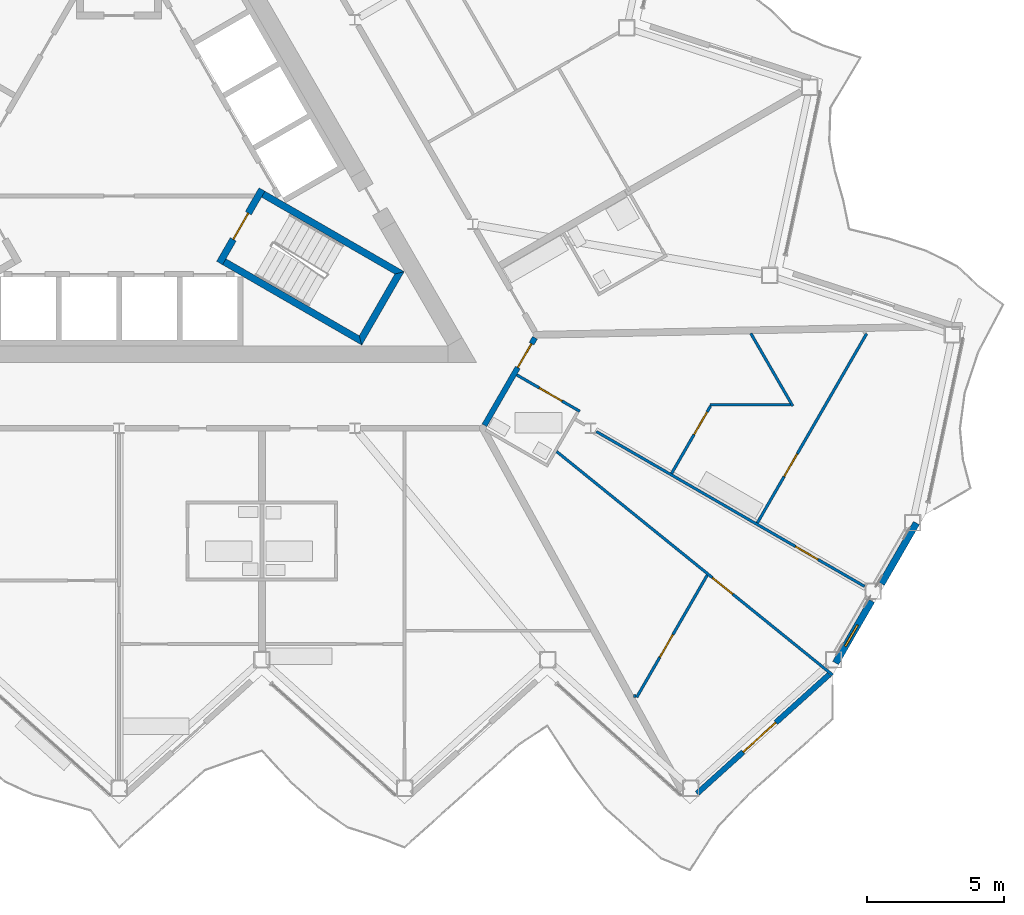
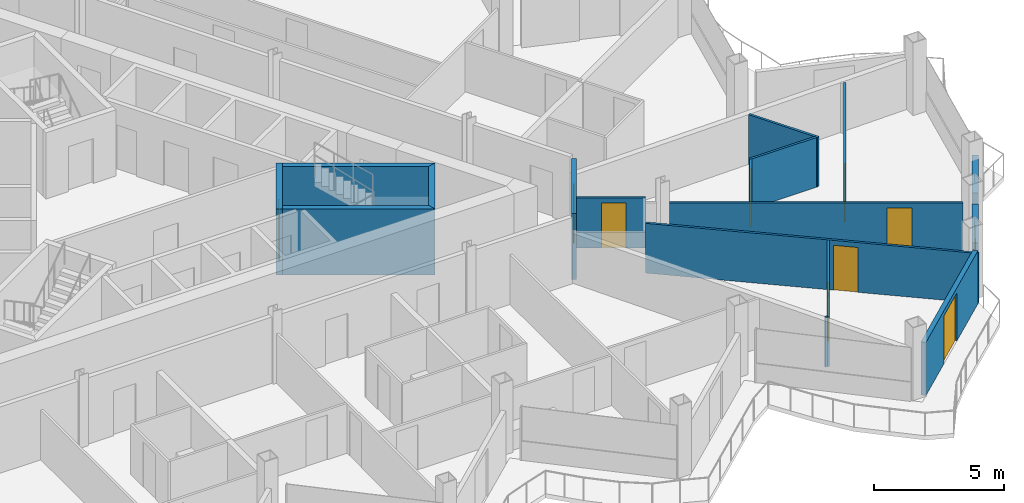
# One storey, part 16 of 27: 17 walls, 9 doors, 1 window, 10 openings.
"""IFC4 building model written with IfcOpenShell, lengths in metres."""

from ifc_helpers import new_model, si_unit, direction, frame, frame_2d, origin, place, context, subcontext, project, spatial, polyline, rectangle, outline, extrude, material, layer, layer_set, type_object, element, fill, save


model = new_model("IFC4")

# Units and contexts
model_context = context("Model", 3, precision=1e-05, world=origin(), true_north=direction((0.0, 1.0)))
body_context = subcontext(model_context, "Body", "Model", "MODEL_VIEW")
ifc_project = project(units=[si_unit("LENGTHUNIT", "METRE"), si_unit("AREAUNIT", "SQUARE_METRE"), si_unit("VOLUMEUNIT", "CUBIC_METRE"), si_unit("PLANEANGLEUNIT", "RADIAN"), si_unit("MASSUNIT", "GRAM", prefix="KILO")], contexts=[model_context])

# Site, building, storey
site_placement = place(None, origin())
site = spatial("IfcSite", under=ifc_project, at=site_placement, CompositionType="ELEMENT")
building_placement = place(site_placement, origin())
building = spatial("IfcBuilding", under=site, at=building_placement, Name="Cormorant Prow Tower", CompositionType="ELEMENT")
storey_placement = place(building_placement, frame((0.0, 0.0, 312.0)))
storey = spatial("IfcBuildingStorey", under=building, at=storey_placement, Name="L68", CompositionType="ELEMENT", Elevation=312.0)

# Wall, opening, door
ifc_material_1 = material(Name="Gypsum board corridor wall")
ifc_layer_1 = layer(ifc_material_1, 0.199951171875)
ifc_layer_set_1 = layer_set([ifc_layer_1], Name="Gypsum board corridor wall")
wall_type_1 = type_object("IfcWallType", Name="Corridor wall 200", PredefinedType="PARTITIONING", material=ifc_layer_set_1)
wall_1_placement = place(storey_placement, frame((13.29345703125, -9.79736328125, 0.0), z_axis=(0.0, 0.0, 1.0), x_axis=(0.499967746641, 0.866044024469, 0.0)))
wall_1 = element("IfcWall", 1, at=wall_1_placement, inside=storey, type_object=wall_type_1, Name="Corridor wall", PredefinedType="PARTITIONING", context=body_context, shape_type="SweptSolid", body=[
    extrude(rectangle(XDim=3.676025390625, YDim=0.199951171875, at=frame_2d((1.837890625, 0.0))), origin(), (0.0, 0.0, 1.0), 3.10009765625),
])
opening_1_placement = place(wall_1_placement, frame((2.426025390625, 0.0, 0.0)))
opening_1 = element("IfcOpeningElement", 2, at=opening_1_placement, cuts=wall_1, Name="Opening L68-F16", PredefinedType="OPENING", context=body_context, shape_type="SweptSolid", body=[
    extrude(rectangle(XDim=1.0, YDim=2.10009765625, at=frame_2d((0.5, 1.050048828125))), frame((0.0, 0.10986328125, 0.0), z_axis=(0.0, -1.0, 0.0), x_axis=(1.0, 0.0, 0.0)), (0.0, 0.0, 1.0), 0.219970703125),
])
ifc_material_2 = material(Name="Timber door leaf", Category="wood")
door_type_1 = type_object("IfcDoorType", Name="Flat or room entrance door 1000x2100", OperationType="NOTDEFINED", PredefinedType="DOOR", material=ifc_material_2)
door_1_placement = place(opening_1_placement, origin())
door_1 = element("IfcDoor", 3, at=door_1_placement, inside=storey, type_object=door_type_1, Name="Living room door", OperationType="SINGLE_SWING_RIGHT", OverallHeight=2.10009765625, OverallWidth=1.0, PredefinedType="DOOR", context=body_context, shape_type="SweptSolid", body=[
    extrude(rectangle(XDim=1.0, YDim=2.10009765625, at=frame_2d((0.5, 1.050048828125))), frame((0.0, 0.02490234375, 0.0), z_axis=(0.0, -1.0, 0.0), x_axis=(1.0, 0.0, 0.0)), (0.0, 0.0, 1.0), 0.050048828125),
])
fill(opening_1, door_1)

ifc_material_3 = material(Name="Gypsum board partition")
ifc_layer_2 = layer(ifc_material_3, 0.10009765625)
ifc_layer_set_2 = layer_set([ifc_layer_2], Name="Gypsum board partition")
wall_type_2 = type_object("IfcWallType", Name="Internal partition 100", PredefinedType="PARTITIONING", material=ifc_layer_set_2)
wall_2_placement = place(storey_placement, frame((15.91748046875, -10.7509765625, 0.0), z_axis=(0.0, 0.0, 1.0), x_axis=(0.777149866095, -0.629315569193, 0.0)))
wall_2 = element("IfcWall", 4, at=wall_2_placement, inside=storey, type_object=wall_type_2, Name="Internal partition", PredefinedType="PARTITIONING", context=body_context, shape_type="SweptSolid", body=[
    extrude(rectangle(XDim=12.927490234375, YDim=0.10009765625, at=frame_2d((6.4638671875, 0.0))), origin(), (0.0, 0.0, 1.0), 2.330078125),
])
opening_2_placement = place(wall_2_placement, frame((7.297607421875, 0.0, 0.0)))
opening_2 = element("IfcOpeningElement", 5, at=opening_2_placement, cuts=wall_2, Name="Opening L68-F21", PredefinedType="OPENING", context=body_context, shape_type="SweptSolid", body=[
    extrude(rectangle(XDim=0.949951171875, YDim=2.10009765625, at=frame_2d((0.47509765625, 1.050048828125))), frame((0.0, 0.06005859375, 0.0), z_axis=(0.0, -1.0, 0.0), x_axis=(1.0, 0.0, 0.0)), (0.0, 0.0, 1.0), 0.1201171875),
])
ifc_material_4 = material(Name="Timber door leaf", Category="wood")
door_type_2 = type_object("IfcDoorType", Name="Bathroom door 950x2100", OperationType="NOTDEFINED", PredefinedType="DOOR", material=ifc_material_4)
door_2_placement = place(opening_2_placement, origin())
door_2 = element("IfcDoor", 6, at=door_2_placement, inside=storey, type_object=door_type_2, Name="Bedroom door", OperationType="SINGLE_SWING_LEFT", OverallHeight=2.10009765625, OverallWidth=0.949951171875, PredefinedType="DOOR", context=body_context, shape_type="SweptSolid", body=[
    extrude(rectangle(XDim=0.949951171875, YDim=2.10009765625, at=frame_2d((0.47509765625, 1.050048828125))), frame((0.0, 0.02490234375, 0.0), z_axis=(0.0, -1.0, 0.0), x_axis=(1.0, 0.0, 0.0)), (0.0, 0.0, 1.0), 0.050048828125),
])
fill(opening_2, door_2)

wall_3_placement = place(storey_placement, frame((17.364501953125, -10.025390625, 0.0), z_axis=(0.0, 0.0, 1.0), x_axis=(0.866021046153, -0.500007547564, 0.0)))
wall_3 = element("IfcWall", 7, at=wall_3_placement, inside=storey, type_object=wall_type_2, Name="Internal partition", PredefinedType="PARTITIONING", context=body_context, shape_type="SweptSolid", body=[
    extrude(rectangle(XDim=11.267333984375, YDim=0.10009765625, at=frame_2d((5.6337890625, 0.0))), origin(), (0.0, 0.0, 1.0), 2.330078125),
])
opening_3_placement = place(wall_3_placement, frame((8.3642578125, 0.0, 0.0)))
opening_3 = element("IfcOpeningElement", 8, at=opening_3_placement, cuts=wall_3, Name="Opening L68-F20", PredefinedType="OPENING", context=body_context, shape_type="SweptSolid", body=[
    extrude(rectangle(XDim=0.949951171875, YDim=2.10009765625, at=frame_2d((0.47509765625, 1.050048828125))), frame((0.0, 0.06005859375, 0.0), z_axis=(0.0, -1.0, 0.0), x_axis=(1.0, 0.0, 0.0)), (0.0, 0.0, 1.0), 0.1201171875),
])
door_3_placement = place(opening_3_placement, origin())
door_3 = element("IfcDoor", 9, at=door_3_placement, inside=storey, type_object=door_type_2, Name="Dining room door", OperationType="SINGLE_SWING_RIGHT", OverallHeight=2.10009765625, OverallWidth=0.949951171875, PredefinedType="DOOR", context=body_context, shape_type="SweptSolid", body=[
    extrude(rectangle(XDim=0.949951171875, YDim=2.10009765625, at=frame_2d((0.47509765625, 1.050048828125))), frame((0.0, 0.02490234375, 0.0), z_axis=(0.0, -1.0, 0.0), x_axis=(1.0, 0.0, 0.0)), (0.0, 0.0, 1.0), 0.050048828125),
])
fill(opening_3, door_3)

wall_4_placement = place(storey_placement, frame((23.222900390625, -13.35009765625, 0.0), z_axis=(0.0, 0.0, 1.0), x_axis=(0.500018284498, 0.866014846967, 0.0)))
wall_4 = element("IfcWall", 10, at=wall_4_placement, inside=storey, type_object=wall_type_2, Name="Internal partition", PredefinedType="PARTITIONING", context=body_context, shape_type="SweptSolid", body=[
    extrude(rectangle(XDim=7.953369140625, YDim=0.10009765625, at=frame_2d((3.9765625, 0.0))), origin(), (0.0, 0.0, 1.0), 2.330078125),
])
opening_4_placement = place(wall_4_placement, frame((1.950927734375, 0.0, 0.0)))
opening_4 = element("IfcOpeningElement", 11, at=opening_4_placement, cuts=wall_4, Name="Opening L68-F19", PredefinedType="OPENING", context=body_context, shape_type="SweptSolid", body=[
    extrude(rectangle(XDim=0.949951171875, YDim=2.10009765625, at=frame_2d((0.47509765625, 1.050048828125))), frame((0.0, 0.06005859375, 0.0), z_axis=(0.0, -1.0, 0.0), x_axis=(1.0, 0.0, 0.0)), (0.0, 0.0, 1.0), 0.1201171875),
])
door_4_placement = place(opening_4_placement, origin())
door_4 = element("IfcDoor", 12, at=door_4_placement, inside=storey, type_object=door_type_2, Name="Kitchen door", OperationType="SINGLE_SWING_LEFT", OverallHeight=2.10009765625, OverallWidth=0.949951171875, PredefinedType="DOOR", context=body_context, shape_type="SweptSolid", body=[
    extrude(rectangle(XDim=0.949951171875, YDim=2.10009765625, at=frame_2d((0.47509765625, 1.050048828125))), frame((0.0, 0.02490234375, 0.0), z_axis=(0.0, -1.0, 0.0), x_axis=(1.0, 0.0, 0.0)), (0.0, 0.0, 1.0), 0.050048828125),
])
fill(opening_4, door_4)

wall_5_placement = place(storey_placement, frame((18.8330078125, -19.6953125, 0.0), z_axis=(0.0, 0.0, 1.0), x_axis=(0.500034163155, 0.866005678779, 0.0)))
wall_5 = element("IfcWall", 13, at=wall_5_placement, inside=storey, type_object=wall_type_2, Name="Internal partition", PredefinedType="PARTITIONING", context=body_context, shape_type="SweptSolid", body=[
    extrude(rectangle(XDim=5.130126953125, YDim=0.10009765625, at=frame_2d((2.56494140625, 0.0))), origin(), (0.0, 0.0, 1.0), 2.330078125),
])
opening_5_placement = place(wall_5_placement, frame((1.68115234375, 0.0, 0.0)))
opening_5 = element("IfcOpeningElement", 14, at=opening_5_placement, cuts=wall_5, Name="Opening L68-F22", PredefinedType="OPENING", context=body_context, shape_type="SweptSolid", body=[
    extrude(rectangle(XDim=0.949951171875, YDim=2.10009765625, at=frame_2d((0.47509765625, 1.050048828125))), frame((0.0, 0.06005859375, 0.0), z_axis=(0.0, -1.0, 0.0), x_axis=(1.0, 0.0, 0.0)), (0.0, 0.0, 1.0), 0.1201171875),
])
door_5_placement = place(opening_5_placement, origin())
door_5 = element("IfcDoor", 15, at=door_5_placement, inside=storey, type_object=door_type_2, Name="Bedroom door", OperationType="SINGLE_SWING_RIGHT", OverallHeight=2.10009765625, OverallWidth=0.949951171875, PredefinedType="DOOR", context=body_context, shape_type="SweptSolid", body=[
    extrude(rectangle(XDim=0.949951171875, YDim=2.10009765625, at=frame_2d((0.47509765625, 1.050048828125))), frame((0.0, 0.02490234375, 0.0), z_axis=(0.0, -1.0, 0.0), x_axis=(1.0, 0.0, 0.0)), (0.0, 0.0, 1.0), 0.050048828125),
])
fill(opening_5, door_5)

# Walls
wall_6_placement = place(storey_placement, frame((22.985595703125, -6.4541015625, 0.0), z_axis=(0.0, 0.0, 1.0), x_axis=(0.499978833458, -0.866037623948, 0.0)))
element("IfcWall", 16, at=wall_6_placement, inside=storey, type_object=wall_type_2, Name="Internal partition", PredefinedType="PARTITIONING", context=body_context, shape_type="SweptSolid", body=[
    extrude(rectangle(XDim=3.050048828125, YDim=0.10009765625, at=frame_2d((1.52490234375, 0.0))), origin(), (0.0, 0.0, 1.0), 2.330078125),
])
wall_7_placement = place(storey_placement, frame((21.4951171875, -9.052001953125, 0.0), z_axis=(0.0, 0.0, 1.0), x_axis=(1.0, 0.0, 0.0)))
element("IfcWall", 17, at=wall_7_placement, inside=storey, type_object=wall_type_2, Name="Internal partition", PredefinedType="PARTITIONING", context=body_context, shape_type="SweptSolid", body=[
    extrude(rectangle(XDim=2.9404296875, YDim=0.10009765625, at=frame_2d((1.47021484375, 0.0))), origin(), (0.0, 0.0, 1.0), 2.330078125),
])

# Wall, opening, door
wall_8_placement = place(storey_placement, frame((20.103515625, -11.549072265625, 0.0), z_axis=(0.0, 0.0, 1.0), x_axis=(0.499976073514, 0.866039217307, 0.0)))
wall_8 = element("IfcWall", 18, at=wall_8_placement, inside=storey, type_object=wall_type_2, Name="Internal partition", PredefinedType="PARTITIONING", context=body_context, shape_type="SweptSolid", body=[
    extrude(rectangle(XDim=2.833251953125, YDim=0.10009765625, at=frame_2d((1.41650390625, 0.0))), origin(), (0.0, 0.0, 1.0), 2.330078125),
])
opening_6_placement = place(wall_8_placement, frame((1.633056640625, 0.0, 0.0)))
opening_6 = element("IfcOpeningElement", 19, at=opening_6_placement, cuts=wall_8, Name="Opening L68-F18", PredefinedType="OPENING", context=body_context, shape_type="SweptSolid", body=[
    extrude(rectangle(XDim=0.949951171875, YDim=2.10009765625, at=frame_2d((0.47509765625, 1.050048828125))), frame((0.0, 0.06005859375, 0.0), z_axis=(0.0, -1.0, 0.0), x_axis=(1.0, 0.0, 0.0)), (0.0, 0.0, 1.0), 0.1201171875),
])
door_6_placement = place(opening_6_placement, origin())
door_6 = element("IfcDoor", 20, at=door_6_placement, inside=storey, type_object=door_type_2, Name="Living room door", OperationType="SINGLE_SWING_RIGHT", OverallHeight=2.10009765625, OverallWidth=0.949951171875, PredefinedType="DOOR", context=body_context, shape_type="SweptSolid", body=[
    extrude(rectangle(XDim=0.949951171875, YDim=2.10009765625, at=frame_2d((0.47509765625, 1.050048828125))), frame((0.0, 0.02490234375, 0.0), z_axis=(0.0, -1.0, 0.0), x_axis=(1.0, 0.0, 0.0)), (0.0, 0.0, 1.0), 0.050048828125),
])
fill(opening_6, door_6)

wall_9_placement = place(storey_placement, frame((14.467529296875, -7.963623046875, 0.0), z_axis=(0.0, 0.0, 1.0), x_axis=(0.865989200783, -0.500062700197, 0.0)))
wall_9 = element("IfcWall", 21, at=wall_9_placement, inside=storey, type_object=wall_type_2, Name="Internal partition", PredefinedType="PARTITIONING", context=body_context, shape_type="SweptSolid", body=[
    extrude(rectangle(XDim=2.650146484375, YDim=0.10009765625, at=frame_2d((1.3251953125, 0.0))), origin(), (0.0, 0.0, 1.0), 2.330078125),
])
opening_7_placement = place(wall_9_placement, frame((0.949951171875, 0.0, 0.0)))
opening_7 = element("IfcOpeningElement", 22, at=opening_7_placement, cuts=wall_9, Name="Opening L68-F17", PredefinedType="OPENING", context=body_context, shape_type="SweptSolid", body=[
    extrude(rectangle(XDim=0.949951171875, YDim=2.10009765625, at=frame_2d((0.47509765625, 1.050048828125))), frame((0.0, 0.06005859375, 0.0), z_axis=(0.0, -1.0, 0.0), x_axis=(1.0, 0.0, 0.0)), (0.0, 0.0, 1.0), 0.1201171875),
])
door_7_placement = place(opening_7_placement, origin())
door_7 = element("IfcDoor", 23, at=door_7_placement, inside=storey, type_object=door_type_2, Name="Living room door", OperationType="SINGLE_SWING_RIGHT", OverallHeight=2.10009765625, OverallWidth=0.949951171875, PredefinedType="DOOR", context=body_context, shape_type="SweptSolid", body=[
    extrude(rectangle(XDim=0.949951171875, YDim=2.10009765625, at=frame_2d((0.47509765625, 1.050048828125))), frame((0.0, 0.02490234375, 0.0), z_axis=(0.0, -1.0, 0.0), x_axis=(1.0, 0.0, 0.0)), (0.0, 0.0, 1.0), 0.050048828125),
])
fill(opening_7, door_7)

# Walls
wall_10_placement = place(storey_placement, frame((18.7177734375, -19.652099609375, 0.0), z_axis=(0.0, 0.0, 1.0), x_axis=(1.0, 0.0, 0.0)))
element("IfcWall", 24, at=wall_10_placement, inside=storey, type_object=wall_type_2, Name="Internal partition", PredefinedType="PARTITIONING", context=body_context, shape_type="SweptSolid", body=[
    extrude(rectangle(XDim=0.09033203125, YDim=0.10009765625, at=frame_2d((0.045166015625, 0.0))), origin(), (0.0, 0.0, 1.0), 2.330078125),
])
ifc_material_5 = material(Name="Concrete 8000 psi", Category="concrete")
ifc_layer_3 = layer(ifc_material_5, 0.25)
ifc_layer_set_3 = layer_set([ifc_layer_3], Name="Concrete 8000 psi")
wall_type_3 = type_object("IfcWallType", Name="Stair wall 250", PredefinedType="SHEAR", material=ifc_layer_set_3)
wall_11_placement = place(storey_placement, origin())
element("IfcWall", 25, at=wall_11_placement, inside=storey, type_object=wall_type_3, Name="Stair ST2 enclosure wall (flank)", PredefinedType="SHEAR", context=body_context, shape_type="SweptSolid", body=[
    extrude(outline(polyline([(3.76318359375, -3.95556640625), (8.82958984375, -6.880615234375), (8.738037109375, -6.5390625), (3.88818359375, -3.739013671875), (3.76318359375, -3.95556640625)])), origin(), (0.0, 0.0, 1.0), 3.10009765625),
])
wall_12_placement = place(storey_placement, origin())
element("IfcWall", 26, at=wall_12_placement, inside=storey, type_object=wall_type_3, Name="Stair ST2 enclosure wall (end)", PredefinedType="SHEAR", context=body_context, shape_type="SweptSolid", body=[
    extrude(outline(polyline([(8.82958984375, -6.880615234375), (10.37353515625, -4.206298828125), (10.031982421875, -4.2978515625), (8.738037109375, -6.5390625), (8.82958984375, -6.880615234375)])), origin(), (0.0, 0.0, 1.0), 3.10009765625),
])
wall_13_placement = place(storey_placement, origin())
element("IfcWall", 27, at=wall_13_placement, inside=storey, type_object=wall_type_3, Name="Stair ST2 enclosure wall (flank)", PredefinedType="SHEAR", context=body_context, shape_type="SweptSolid", body=[
    extrude(outline(polyline([(10.031982421875, -4.2978515625), (10.37353515625, -4.206298828125), (5.30712890625, -1.28125), (5.18212890625, -1.497802734375), (10.031982421875, -4.2978515625)])), origin(), (0.0, 0.0, 1.0), 3.10009765625),
])

# Wall, opening, door
wall_14_placement = place(storey_placement, frame((3.655029296875, -3.89306640625, 0.0), z_axis=(0.0, 0.0, 1.0), x_axis=(0.499982516597, 0.866035497597, 0.0)))
wall_14 = element("IfcWall", 28, at=wall_14_placement, inside=storey, type_object=wall_type_3, Name="Stair ST2 door wall", PredefinedType="SHEAR", context=body_context, shape_type="SweptSolid", body=[
    extrude(rectangle(XDim=3.087890625, YDim=0.25, at=frame_2d((1.5439453125, 0.0))), origin(), (0.0, 0.0, 1.0), 3.10009765625),
])
opening_8_placement = place(wall_14_placement, frame((0.993896484375, 0.0, 0.0)))
opening_8 = element("IfcOpeningElement", 29, at=opening_8_placement, cuts=wall_14, Name="Opening L68-C13", PredefinedType="OPENING", context=body_context, shape_type="SweptSolid", body=[
    extrude(rectangle(XDim=1.10009765625, YDim=2.10009765625, at=frame_2d((0.550048828125, 1.050048828125))), frame((0.0, 0.135009765625, 0.0), z_axis=(0.0, -1.0, 0.0), x_axis=(1.0, 0.0, 0.0)), (0.0, 0.0, 1.0), 0.27001953125),
])
ifc_material_6 = material(Name="Painted steel", Category="steel")
door_type_3 = type_object("IfcDoorType", Name="Stair door 1100x2100", OperationType="NOTDEFINED", PredefinedType="DOOR", material=ifc_material_6)
door_8_placement = place(opening_8_placement, origin())
door_8 = element("IfcDoor", 30, at=door_8_placement, inside=storey, type_object=door_type_3, Name="Stair ST2 door", OperationType="SINGLE_SWING_RIGHT", OverallHeight=2.10009765625, OverallWidth=1.10009765625, PredefinedType="DOOR", context=body_context, shape_type="SweptSolid", body=[
    extrude(rectangle(XDim=1.10009765625, YDim=2.10009765625, at=frame_2d((0.550048828125, 1.050048828125))), frame((0.0, 0.02490234375, 0.0), z_axis=(0.0, -1.0, 0.0), x_axis=(1.0, 0.0, 0.0)), (0.0, 0.0, 1.0), 0.050048828125),
])
fill(opening_8, door_8)

# Wall, opening, window
ifc_material_7 = material(Name="Terracotta", Category="masonry")
ifc_layer_4 = layer(ifc_material_7, 0.25)
ifc_layer_set_4 = layer_set([ifc_layer_4], Name="Terracotta")
wall_type_4 = type_object("IfcWallType", Name="Terracotta bay wall 250", PredefinedType="SOLIDWALL", material=ifc_layer_set_4)
wall_15_placement = place(storey_placement, frame((26.07275390625, -18.4482421875, 0.0), z_axis=(0.0, 0.0, 1.0), x_axis=(0.499992367345, 0.866029810455, 0.0)))
wall_15 = element("IfcWall", 31, at=wall_15_placement, inside=storey, type_object=wall_type_4, Name="Terracotta bay wall ESE00", PredefinedType="SOLIDWALL", context=body_context, shape_type="SweptSolid", body=[
    extrude(rectangle(XDim=2.60986328125, YDim=0.25, at=frame_2d((1.304931640625, 0.0))), origin(), (0.0, 0.0, 1.0), 2.48779296875),
])
opening_9_placement = place(wall_15_placement, frame((0.699951171875, 0.0, 1.60009765625)))
opening_9 = element("IfcOpeningElement", 32, at=opening_9_placement, cuts=wall_15, Name="Opening WN7", PredefinedType="OPENING", context=body_context, shape_type="SweptSolid", body=[
    extrude(rectangle(XDim=0.89990234375, YDim=0.60009765625, at=frame_2d((0.449951171875, 0.300048828125))), frame((0.0, 0.135009765625, 0.0), z_axis=(0.0, -1.0, 0.0), x_axis=(1.0, 0.0, 0.0)), (0.0, 0.0, 1.0), 0.27001953125),
])
ifc_material_8 = material(Name="Aluminium 6063-T6", Category="aluminium")
window_type = type_object("IfcWindowType", Name="Corner bay window 900x600", PartitioningType="SINGLE_PANEL", PredefinedType="WINDOW", material=ifc_material_8)
window_placement = place(opening_9_placement, origin())
window = element("IfcWindow", 33, at=window_placement, inside=storey, type_object=window_type, Name="Corner bay window ESE00", OverallHeight=0.60009765625, OverallWidth=0.89990234375, PartitioningType="SINGLE_PANEL", PredefinedType="WINDOW", context=body_context, shape_type="SweptSolid", body=[
    extrude(rectangle(XDim=0.89990234375, YDim=0.60009765625, at=frame_2d((0.449951171875, 0.300048828125))), frame((0.0, 0.030029296875, 0.0), z_axis=(0.0, -1.0, 0.0), x_axis=(1.0, 0.0, 0.0)), (0.0, 0.0, 1.0), 0.06005859375),
])
fill(opening_9, window)

# Wall
wall_16_placement = place(storey_placement, frame((27.738525390625, -15.56298828125, 0.0), z_axis=(0.0, 0.0, 1.0), x_axis=(0.500012659481, 0.866018094706, 0.0)))
element("IfcWall", 34, at=wall_16_placement, inside=storey, type_object=wall_type_4, Name="Terracotta bay wall ESE01", PredefinedType="SOLIDWALL", context=body_context, shape_type="SweptSolid", body=[
    extrude(rectangle(XDim=2.548828125, YDim=0.25, at=frame_2d((1.2744140625, 0.0))), origin(), (0.0, 0.0, 1.0), 2.48779296875),
])

# Wall, opening, door
ifc_material_9 = material(Name="Terracotta", Category="masonry")
ifc_layer_5 = layer(ifc_material_9, 0.199951171875)
ifc_layer_set_5 = layer_set([ifc_layer_5], Name="Terracotta")
wall_type_5 = type_object("IfcWallType", Name="Terracotta jamb wall 200", PredefinedType="SOLIDWALL", material=ifc_layer_set_5)
wall_17_placement = place(storey_placement, frame((21.02685546875, -23.197509765625, 0.0), z_axis=(0.0, 0.0, 1.0), x_axis=(0.74314788005, 0.669127213897, 0.0)))
wall_17 = element("IfcWall", 35, at=wall_17_placement, inside=storey, type_object=wall_type_5, Name="Terracotta jamb wall S09", PredefinedType="SOLIDWALL", context=body_context, shape_type="SweptSolid", body=[
    extrude(rectangle(XDim=6.474609375, YDim=0.199951171875, at=frame_2d((3.2373046875, 0.0))), origin(), (0.0, 0.0, 1.0), 2.48779296875),
])
opening_10_placement = place(wall_17_placement, frame((2.259765625, 0.0, 0.0)))
opening_10 = element("IfcOpeningElement", 36, at=opening_10_placement, cuts=wall_17, Name="Opening ED68.05", PredefinedType="OPENING", context=body_context, shape_type="SweptSolid", body=[
    extrude(rectangle(XDim=1.60009765625, YDim=2.25, at=frame_2d((0.800048828125, 1.125))), frame((0.0, 0.10986328125, 0.0), z_axis=(0.0, -1.0, 0.0), x_axis=(1.0, 0.0, 0.0)), (0.0, 0.0, 1.0), 0.219970703125),
])
ifc_material_10 = material(Name="Aluminium 6063-T6", Category="aluminium")
door_type_4 = type_object("IfcDoorType", Name="Balcony door 1600x2250", OperationType="DOUBLE_DOOR_SINGLE_SWING", PredefinedType="DOOR", material=ifc_material_10)
door_9_placement = place(opening_10_placement, origin())
door_9 = element("IfcDoor", 37, at=door_9_placement, inside=storey, type_object=door_type_4, Name="Balcony door S09 ED68.05", OperationType="DOUBLE_DOOR_SINGLE_SWING", OverallHeight=2.25, OverallWidth=1.60009765625, PredefinedType="DOOR", context=body_context, shape_type="SweptSolid", body=[
    extrude(rectangle(XDim=1.60009765625, YDim=2.25, at=frame_2d((0.800048828125, 1.125))), frame((0.0, 0.02490234375, 0.0), z_axis=(0.0, -1.0, 0.0), x_axis=(1.0, 0.0, 0.0)), (0.0, 0.0, 1.0), 0.050048828125),
])
fill(opening_10, door_9)

save(model, "model.ifc")
